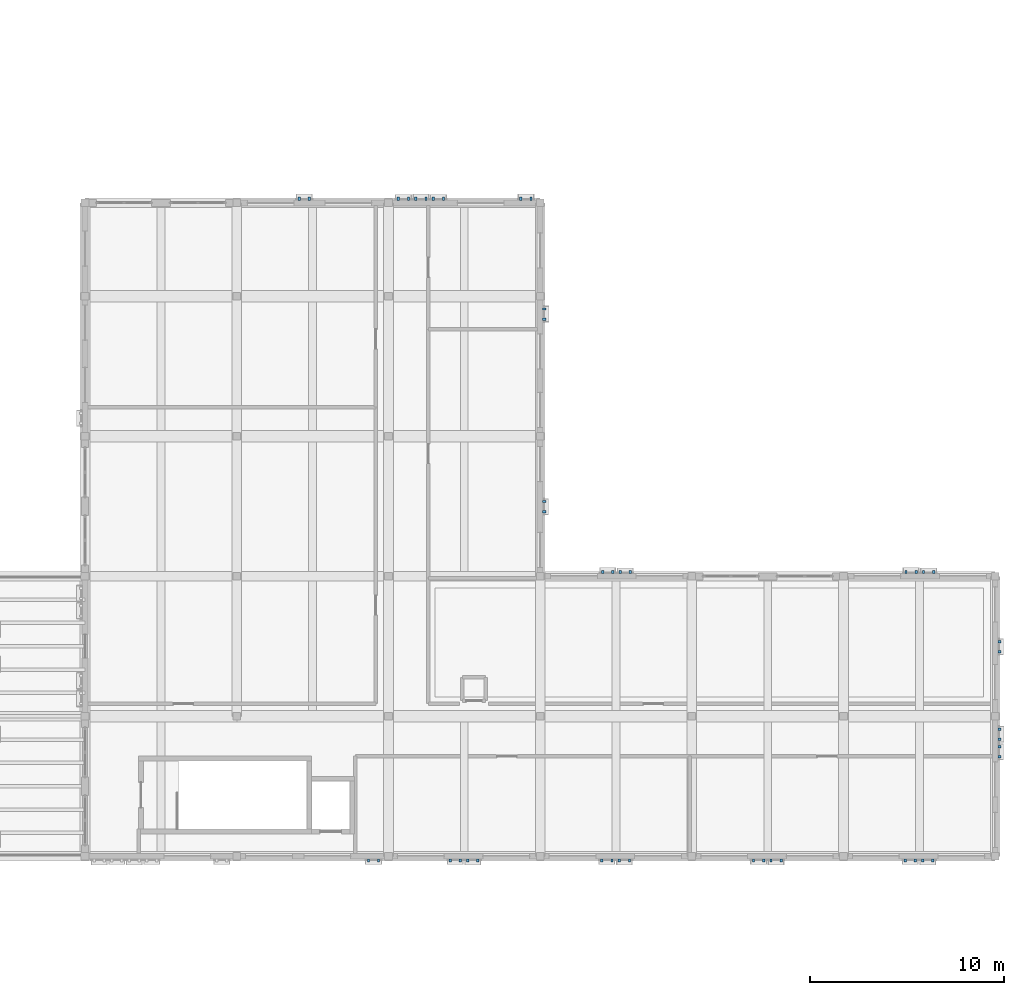
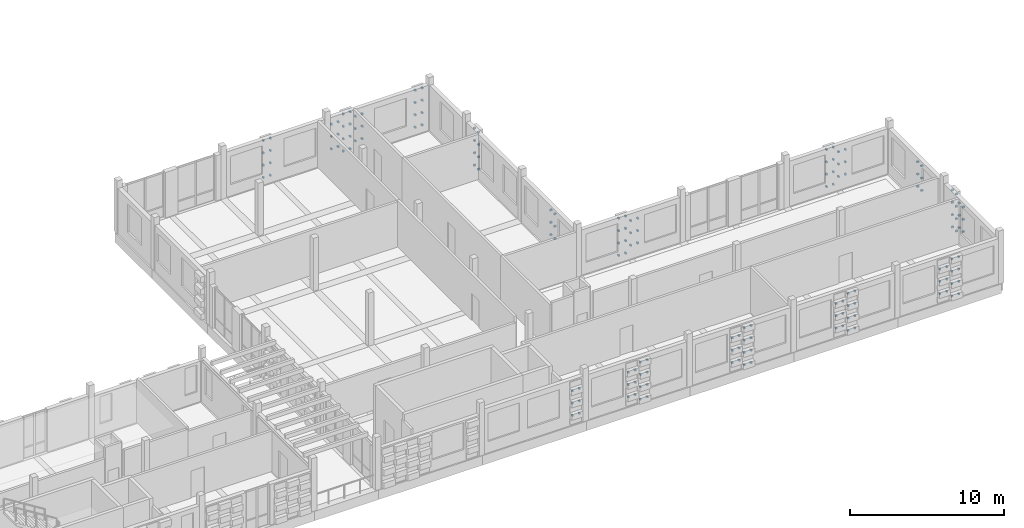
# One storey, part 87 of 99: 160 discrete accessories.
"""IFC4 building model written with IfcOpenShell, lengths in metres."""

from ifc_helpers import new_model, si_unit, direction, frame, origin, origin_2d, place, context, subcontext, project, spatial, rectangle, extrude, material, type_object, element, save


model = new_model("IFC4")

# Units and contexts
model_context = context("Model", 3, precision=1e-05, world=origin(), true_north=direction((0.0, 1.0)))
body_context = subcontext(model_context, "Body", "Model", "MODEL_VIEW")
ifc_project = project(units=[si_unit("LENGTHUNIT", "METRE"), si_unit("AREAUNIT", "SQUARE_METRE"), si_unit("VOLUMEUNIT", "CUBIC_METRE"), si_unit("PLANEANGLEUNIT", "RADIAN"), si_unit("MASSUNIT", "GRAM", prefix="KILO")], contexts=[model_context])

# Site, building, storey
site_placement = place(None, origin())
site = spatial("IfcSite", under=ifc_project, at=site_placement, CompositionType="ELEMENT")
building_placement = place(site_placement, origin())
building = spatial("IfcBuilding", under=site, at=building_placement, Name="Kahlenmark Community Centre", CompositionType="ELEMENT")
storey_placement = place(building_placement, frame((0.0, 0.0, 5.39990234375)))
storey = spatial("IfcBuildingStorey", under=building, at=storey_placement, Name="L01", CompositionType="ELEMENT", Elevation=5.39990234375)

# Discrete accessories
ifc_material = material(Name="Stainless steel 1.4401 rainscreen bracket", Category="steel")
discrete_accessory_type = type_object("IfcDiscreteAccessoryType", Name="DAT-BRACKET-TC", PredefinedType="BRACKET", material=ifc_material)
for number, where, z_axis, x_axis, name in (
    (1, (136.169921875, 8.590087890625, 0.755126953125), (0.0, 0.0, 1.0), (1.0, 0.0, 0.0), "Terracotta cassette bracket 1572.1"),
    (2, (136.68994140625, 8.590087890625, 0.755126953125), (0.0, 0.0, 1.0), (1.0, 0.0, 0.0), "Terracotta cassette bracket 1572.2"),
    (3, (136.169921875, 8.590087890625, 1.735107421875), (0.0, 0.0, 1.0), (1.0, 0.0, 0.0), "Terracotta cassette bracket 1574.1"),
    (4, (136.68994140625, 8.590087890625, 1.735107421875), (0.0, 0.0, 1.0), (1.0, 0.0, 0.0), "Terracotta cassette bracket 1574.2"),
    (5, (136.169921875, 8.590087890625, 2.715087890625), (0.0, 0.0, 1.0), (1.0, 0.0, 0.0), "Terracotta cassette bracket 1576.1"),
    (6, (136.68994140625, 8.590087890625, 2.715087890625), (0.0, 0.0, 1.0), (1.0, 0.0, 0.0), "Terracotta cassette bracket 1576.2"),
    (7, (140.3701171875, 8.590087890625, 0.755126953125), (0.0, 0.0, 1.0), (1.0, 0.0, 0.0), "Terracotta cassette bracket 1579.1"),
    (8, (140.889892578125, 8.590087890625, 0.755126953125), (0.0, 0.0, 1.0), (1.0, 0.0, 0.0), "Terracotta cassette bracket 1579.2"),
    (9, (140.3701171875, 8.590087890625, 1.735107421875), (0.0, 0.0, 1.0), (1.0, 0.0, 0.0), "Terracotta cassette bracket 1581.1"),
    (10, (140.889892578125, 8.590087890625, 1.735107421875), (0.0, 0.0, 1.0), (1.0, 0.0, 0.0), "Terracotta cassette bracket 1581.2"),
    (11, (140.3701171875, 8.590087890625, 2.715087890625), (0.0, 0.0, 1.0), (1.0, 0.0, 0.0), "Terracotta cassette bracket 1583.1"),
    (12, (140.889892578125, 8.590087890625, 2.715087890625), (0.0, 0.0, 1.0), (1.0, 0.0, 0.0), "Terracotta cassette bracket 1583.2"),
    (13, (141.27001953125, 8.590087890625, 0.26513671875), (0.0, 0.0, 1.0), (1.0, 0.0, 0.0), "Terracotta cassette bracket 1585.1"),
    (14, (141.7900390625, 8.590087890625, 0.26513671875), (0.0, 0.0, 1.0), (1.0, 0.0, 0.0), "Terracotta cassette bracket 1585.2"),
    (15, (141.27001953125, 8.590087890625, 1.2451171875), (0.0, 0.0, 1.0), (1.0, 0.0, 0.0), "Terracotta cassette bracket 1587.1"),
    (16, (141.7900390625, 8.590087890625, 1.2451171875), (0.0, 0.0, 1.0), (1.0, 0.0, 0.0), "Terracotta cassette bracket 1587.2"),
    (17, (141.27001953125, 8.590087890625, 2.22509765625), (0.0, 0.0, 1.0), (1.0, 0.0, 0.0), "Terracotta cassette bracket 1589.1"),
    (18, (141.7900390625, 8.590087890625, 2.22509765625), (0.0, 0.0, 1.0), (1.0, 0.0, 0.0), "Terracotta cassette bracket 1589.2"),
    (19, (141.27001953125, 8.590087890625, 3.205078125), (0.0, 0.0, 1.0), (1.0, 0.0, 0.0), "Terracotta cassette bracket 1591.1"),
    (20, (141.7900390625, 8.590087890625, 3.205078125), (0.0, 0.0, 1.0), (1.0, 0.0, 0.0), "Terracotta cassette bracket 1591.2"),
    (21, (148.169921875, 8.590087890625, 0.755126953125), (0.0, 0.0, 1.0), (1.0, 0.0, 0.0), "Terracotta cassette bracket 1593.1"),
    (22, (148.68994140625, 8.590087890625, 0.755126953125), (0.0, 0.0, 1.0), (1.0, 0.0, 0.0), "Terracotta cassette bracket 1593.2"),
    (23, (148.169921875, 8.590087890625, 1.735107421875), (0.0, 0.0, 1.0), (1.0, 0.0, 0.0), "Terracotta cassette bracket 1595.1"),
    (24, (148.68994140625, 8.590087890625, 1.735107421875), (0.0, 0.0, 1.0), (1.0, 0.0, 0.0), "Terracotta cassette bracket 1595.2"),
    (25, (148.169921875, 8.590087890625, 2.715087890625), (0.0, 0.0, 1.0), (1.0, 0.0, 0.0), "Terracotta cassette bracket 1597.1"),
    (26, (148.68994140625, 8.590087890625, 2.715087890625), (0.0, 0.0, 1.0), (1.0, 0.0, 0.0), "Terracotta cassette bracket 1597.2"),
    (27, (149.070068359375, 8.590087890625, 0.26513671875), (0.0, 0.0, 1.0), (1.0, 0.0, 0.0), "Terracotta cassette bracket 1599.1"),
    (28, (149.590087890625, 8.590087890625, 0.26513671875), (0.0, 0.0, 1.0), (1.0, 0.0, 0.0), "Terracotta cassette bracket 1599.2"),
    (29, (149.070068359375, 8.590087890625, 1.2451171875), (0.0, 0.0, 1.0), (1.0, 0.0, 0.0), "Terracotta cassette bracket 1601.1"),
    (30, (149.590087890625, 8.590087890625, 1.2451171875), (0.0, 0.0, 1.0), (1.0, 0.0, 0.0), "Terracotta cassette bracket 1601.2"),
    (31, (149.070068359375, 8.590087890625, 2.22509765625), (0.0, 0.0, 1.0), (1.0, 0.0, 0.0), "Terracotta cassette bracket 1603.1"),
    (32, (149.590087890625, 8.590087890625, 2.22509765625), (0.0, 0.0, 1.0), (1.0, 0.0, 0.0), "Terracotta cassette bracket 1603.2"),
    (33, (149.070068359375, 8.590087890625, 3.205078125), (0.0, 0.0, 1.0), (1.0, 0.0, 0.0), "Terracotta cassette bracket 1605.1"),
    (34, (149.590087890625, 8.590087890625, 3.205078125), (0.0, 0.0, 1.0), (1.0, 0.0, 0.0), "Terracotta cassette bracket 1605.2"),
    (35, (155.969970703125, 8.590087890625, 0.755126953125), (0.0, 0.0, 1.0), (1.0, 0.0, 0.0), "Terracotta cassette bracket 1607.1"),
    (36, (156.489990234375, 8.590087890625, 0.755126953125), (0.0, 0.0, 1.0), (1.0, 0.0, 0.0), "Terracotta cassette bracket 1607.2"),
    (37, (155.969970703125, 8.590087890625, 1.735107421875), (0.0, 0.0, 1.0), (1.0, 0.0, 0.0), "Terracotta cassette bracket 1609.1"),
    (38, (156.489990234375, 8.590087890625, 1.735107421875), (0.0, 0.0, 1.0), (1.0, 0.0, 0.0), "Terracotta cassette bracket 1609.2"),
    (39, (155.969970703125, 8.590087890625, 2.715087890625), (0.0, 0.0, 1.0), (1.0, 0.0, 0.0), "Terracotta cassette bracket 1611.1"),
    (40, (156.489990234375, 8.590087890625, 2.715087890625), (0.0, 0.0, 1.0), (1.0, 0.0, 0.0), "Terracotta cassette bracket 1611.2"),
    (41, (156.8701171875, 8.590087890625, 0.26513671875), (0.0, 0.0, 1.0), (1.0, 0.0, 0.0), "Terracotta cassette bracket 1613.1"),
    (42, (157.389892578125, 8.590087890625, 0.26513671875), (0.0, 0.0, 1.0), (1.0, 0.0, 0.0), "Terracotta cassette bracket 1613.2"),
    (43, (156.8701171875, 8.590087890625, 1.2451171875), (0.0, 0.0, 1.0), (1.0, 0.0, 0.0), "Terracotta cassette bracket 1615.1"),
    (44, (157.389892578125, 8.590087890625, 1.2451171875), (0.0, 0.0, 1.0), (1.0, 0.0, 0.0), "Terracotta cassette bracket 1615.2"),
    (45, (156.8701171875, 8.590087890625, 2.22509765625), (0.0, 0.0, 1.0), (1.0, 0.0, 0.0), "Terracotta cassette bracket 1617.1"),
    (46, (157.389892578125, 8.590087890625, 2.22509765625), (0.0, 0.0, 1.0), (1.0, 0.0, 0.0), "Terracotta cassette bracket 1617.2"),
    (47, (156.8701171875, 8.590087890625, 3.205078125), (0.0, 0.0, 1.0), (1.0, 0.0, 0.0), "Terracotta cassette bracket 1619.1"),
    (48, (157.389892578125, 8.590087890625, 3.205078125), (0.0, 0.0, 1.0), (1.0, 0.0, 0.0), "Terracotta cassette bracket 1619.2"),
    (49, (163.77001953125, 8.590087890625, 0.755126953125), (0.0, 0.0, 1.0), (1.0, 0.0, 0.0), "Terracotta cassette bracket 1621.1"),
    (50, (164.2900390625, 8.590087890625, 0.755126953125), (0.0, 0.0, 1.0), (1.0, 0.0, 0.0), "Terracotta cassette bracket 1621.2"),
    (51, (163.77001953125, 8.590087890625, 1.735107421875), (0.0, 0.0, 1.0), (1.0, 0.0, 0.0), "Terracotta cassette bracket 1623.1"),
    (52, (164.2900390625, 8.590087890625, 1.735107421875), (0.0, 0.0, 1.0), (1.0, 0.0, 0.0), "Terracotta cassette bracket 1623.2"),
    (53, (163.77001953125, 8.590087890625, 2.715087890625), (0.0, 0.0, 1.0), (1.0, 0.0, 0.0), "Terracotta cassette bracket 1625.1"),
    (54, (164.2900390625, 8.590087890625, 2.715087890625), (0.0, 0.0, 1.0), (1.0, 0.0, 0.0), "Terracotta cassette bracket 1625.2"),
    (55, (164.669921875, 8.590087890625, 0.26513671875), (0.0, 0.0, 1.0), (1.0, 0.0, 0.0), "Terracotta cassette bracket 1627.1"),
    (56, (165.18994140625, 8.590087890625, 0.26513671875), (0.0, 0.0, 1.0), (1.0, 0.0, 0.0), "Terracotta cassette bracket 1627.2"),
    (57, (164.669921875, 8.590087890625, 1.2451171875), (0.0, 0.0, 1.0), (1.0, 0.0, 0.0), "Terracotta cassette bracket 1629.1"),
    (58, (165.18994140625, 8.590087890625, 1.2451171875), (0.0, 0.0, 1.0), (1.0, 0.0, 0.0), "Terracotta cassette bracket 1629.2"),
    (59, (164.669921875, 8.590087890625, 2.22509765625), (0.0, 0.0, 1.0), (1.0, 0.0, 0.0), "Terracotta cassette bracket 1631.1"),
    (60, (165.18994140625, 8.590087890625, 2.22509765625), (0.0, 0.0, 1.0), (1.0, 0.0, 0.0), "Terracotta cassette bracket 1631.2"),
    (61, (164.669921875, 8.590087890625, 3.205078125), (0.0, 0.0, 1.0), (1.0, 0.0, 0.0), "Terracotta cassette bracket 1633.1"),
    (62, (165.18994140625, 8.590087890625, 3.205078125), (0.0, 0.0, 1.0), (1.0, 0.0, 0.0), "Terracotta cassette bracket 1633.2"),
    (63, (149.6298828125, 23.409912109375, 0.755126953125), (0.0, 0.0, 1.0), (-1.0, 0.0, 0.0), "Terracotta cassette bracket 1635.1"),
    (64, (149.110107421875, 23.409912109375, 0.755126953125), (0.0, 0.0, 1.0), (-1.0, 0.0, 0.0), "Terracotta cassette bracket 1635.2"),
    (65, (149.6298828125, 23.409912109375, 1.735107421875), (0.0, 0.0, 1.0), (-1.0, 0.0, 0.0), "Terracotta cassette bracket 1637.1"),
    (66, (149.110107421875, 23.409912109375, 1.735107421875), (0.0, 0.0, 1.0), (-1.0, 0.0, 0.0), "Terracotta cassette bracket 1637.2"),
    (67, (149.6298828125, 23.409912109375, 2.715087890625), (0.0, 0.0, 1.0), (-1.0, 0.0, 0.0), "Terracotta cassette bracket 1639.1"),
    (68, (149.110107421875, 23.409912109375, 2.715087890625), (0.0, 0.0, 1.0), (-1.0, 0.0, 0.0), "Terracotta cassette bracket 1639.2"),
    (69, (148.72998046875, 23.409912109375, 0.26513671875), (0.0, 0.0, 1.0), (-1.0, 0.0, 0.0), "Terracotta cassette bracket 1641.1"),
    (70, (148.2099609375, 23.409912109375, 0.26513671875), (0.0, 0.0, 1.0), (-1.0, 0.0, 0.0), "Terracotta cassette bracket 1641.2"),
    (71, (148.72998046875, 23.409912109375, 1.2451171875), (0.0, 0.0, 1.0), (-1.0, 0.0, 0.0), "Terracotta cassette bracket 1643.1"),
    (72, (148.2099609375, 23.409912109375, 1.2451171875), (0.0, 0.0, 1.0), (-1.0, 0.0, 0.0), "Terracotta cassette bracket 1643.2"),
    (73, (148.72998046875, 23.409912109375, 2.22509765625), (0.0, 0.0, 1.0), (-1.0, 0.0, 0.0), "Terracotta cassette bracket 1645.1"),
    (74, (148.2099609375, 23.409912109375, 2.22509765625), (0.0, 0.0, 1.0), (-1.0, 0.0, 0.0), "Terracotta cassette bracket 1645.2"),
    (75, (148.72998046875, 23.409912109375, 3.205078125), (0.0, 0.0, 1.0), (-1.0, 0.0, 0.0), "Terracotta cassette bracket 1647.1"),
    (76, (148.2099609375, 23.409912109375, 3.205078125), (0.0, 0.0, 1.0), (-1.0, 0.0, 0.0), "Terracotta cassette bracket 1647.2"),
    (77, (165.22998046875, 23.409912109375, 0.755126953125), (0.0, 0.0, 1.0), (-1.0, 0.0, 0.0), "Terracotta cassette bracket 1649.1"),
    (78, (164.7099609375, 23.409912109375, 0.755126953125), (0.0, 0.0, 1.0), (-1.0, 0.0, 0.0), "Terracotta cassette bracket 1649.2"),
    (79, (165.22998046875, 23.409912109375, 1.735107421875), (0.0, 0.0, 1.0), (-1.0, 0.0, 0.0), "Terracotta cassette bracket 1651.1"),
    (80, (164.7099609375, 23.409912109375, 1.735107421875), (0.0, 0.0, 1.0), (-1.0, 0.0, 0.0), "Terracotta cassette bracket 1651.2"),
    (81, (165.22998046875, 23.409912109375, 2.715087890625), (0.0, 0.0, 1.0), (-1.0, 0.0, 0.0), "Terracotta cassette bracket 1653.1"),
    (82, (164.7099609375, 23.409912109375, 2.715087890625), (0.0, 0.0, 1.0), (-1.0, 0.0, 0.0), "Terracotta cassette bracket 1653.2"),
    (83, (164.330078125, 23.409912109375, 0.26513671875), (0.0, 0.0, 1.0), (-1.0, 0.0, 0.0), "Terracotta cassette bracket 1655.1"),
    (84, (163.81005859375, 23.409912109375, 0.26513671875), (0.0, 0.0, 1.0), (-1.0, 0.0, 0.0), "Terracotta cassette bracket 1655.2"),
    (85, (164.330078125, 23.409912109375, 1.2451171875), (0.0, 0.0, 1.0), (-1.0, 0.0, 0.0), "Terracotta cassette bracket 1657.1"),
    (86, (163.81005859375, 23.409912109375, 1.2451171875), (0.0, 0.0, 1.0), (-1.0, 0.0, 0.0), "Terracotta cassette bracket 1657.2"),
    (87, (164.330078125, 23.409912109375, 2.22509765625), (0.0, 0.0, 1.0), (-1.0, 0.0, 0.0), "Terracotta cassette bracket 1659.1"),
    (88, (163.81005859375, 23.409912109375, 2.22509765625), (0.0, 0.0, 1.0), (-1.0, 0.0, 0.0), "Terracotta cassette bracket 1659.2"),
    (89, (164.330078125, 23.409912109375, 3.205078125), (0.0, 0.0, 1.0), (-1.0, 0.0, 0.0), "Terracotta cassette bracket 1661.1"),
    (90, (163.81005859375, 23.409912109375, 3.205078125), (0.0, 0.0, 1.0), (-1.0, 0.0, 0.0), "Terracotta cassette bracket 1661.2"),
    (91, (168.610107421875, 13.919921875, 0.755126953125), (0.0, 0.0, 1.0), (0.0, 1.0, 0.0), "Terracotta cassette bracket 1687.1"),
    (92, (168.610107421875, 14.43994140625, 0.755126953125), (0.0, 0.0, 1.0), (0.0, 1.0, 0.0), "Terracotta cassette bracket 1687.2"),
    (93, (168.610107421875, 13.919921875, 1.735107421875), (0.0, 0.0, 1.0), (0.0, 1.0, 0.0), "Terracotta cassette bracket 1689.1"),
    (94, (168.610107421875, 14.43994140625, 1.735107421875), (0.0, 0.0, 1.0), (0.0, 1.0, 0.0), "Terracotta cassette bracket 1689.2"),
    (95, (168.610107421875, 13.919921875, 2.715087890625), (0.0, 0.0, 1.0), (0.0, 1.0, 0.0), "Terracotta cassette bracket 1691.1"),
    (96, (168.610107421875, 14.43994140625, 2.715087890625), (0.0, 0.0, 1.0), (0.0, 1.0, 0.0), "Terracotta cassette bracket 1691.2"),
    (97, (168.610107421875, 14.820068359375, 0.26513671875), (0.0, 0.0, 1.0), (0.0, 1.0, 0.0), "Terracotta cassette bracket 1693.1"),
    (98, (168.610107421875, 15.340087890625, 0.26513671875), (0.0, 0.0, 1.0), (0.0, 1.0, 0.0), "Terracotta cassette bracket 1693.2"),
    (99, (168.610107421875, 14.820068359375, 1.2451171875), (0.0, 0.0, 1.0), (0.0, 1.0, 0.0), "Terracotta cassette bracket 1695.1"),
    (100, (168.610107421875, 15.340087890625, 1.2451171875), (0.0, 0.0, 1.0), (0.0, 1.0, 0.0), "Terracotta cassette bracket 1695.2"),
    (101, (168.610107421875, 14.820068359375, 2.22509765625), (0.0, 0.0, 1.0), (0.0, 1.0, 0.0), "Terracotta cassette bracket 1697.1"),
    (102, (168.610107421875, 15.340087890625, 2.22509765625), (0.0, 0.0, 1.0), (0.0, 1.0, 0.0), "Terracotta cassette bracket 1697.2"),
    (103, (168.610107421875, 14.820068359375, 3.205078125), (0.0, 0.0, 1.0), (0.0, 1.0, 0.0), "Terracotta cassette bracket 1699.1"),
    (104, (168.610107421875, 15.340087890625, 3.205078125), (0.0, 0.0, 1.0), (0.0, 1.0, 0.0), "Terracotta cassette bracket 1699.2"),
    (105, (168.610107421875, 19.320068359375, 0.755126953125), (0.0, 0.0, 1.0), (0.0, 1.0, 0.0), "Terracotta cassette bracket 1701.1"),
    (106, (168.610107421875, 19.840087890625, 0.755126953125), (0.0, 0.0, 1.0), (0.0, 1.0, 0.0), "Terracotta cassette bracket 1701.2"),
    (107, (168.610107421875, 19.320068359375, 1.735107421875), (0.0, 0.0, 1.0), (0.0, 1.0, 0.0), "Terracotta cassette bracket 1703.1"),
    (108, (168.610107421875, 19.840087890625, 1.735107421875), (0.0, 0.0, 1.0), (0.0, 1.0, 0.0), "Terracotta cassette bracket 1703.2"),
    (109, (168.610107421875, 19.320068359375, 2.715087890625), (0.0, 0.0, 1.0), (0.0, 1.0, 0.0), "Terracotta cassette bracket 1705.1"),
    (110, (168.610107421875, 19.840087890625, 2.715087890625), (0.0, 0.0, 1.0), (0.0, 1.0, 0.0), "Terracotta cassette bracket 1705.2"),
    (111, (133.1298828125, 42.610107421875, 0.26513671875), (0.0, 0.0, 1.0), (-1.0, 0.0, 0.0), "Terracotta cassette bracket 1707.1"),
    (112, (132.610107421875, 42.610107421875, 0.26513671875), (0.0, 0.0, 1.0), (-1.0, 0.0, 0.0), "Terracotta cassette bracket 1707.2"),
    (113, (133.1298828125, 42.610107421875, 1.2451171875), (0.0, 0.0, 1.0), (-1.0, 0.0, 0.0), "Terracotta cassette bracket 1709.1"),
    (114, (132.610107421875, 42.610107421875, 1.2451171875), (0.0, 0.0, 1.0), (-1.0, 0.0, 0.0), "Terracotta cassette bracket 1709.2"),
    (115, (133.1298828125, 42.610107421875, 2.22509765625), (0.0, 0.0, 1.0), (-1.0, 0.0, 0.0), "Terracotta cassette bracket 1711.1"),
    (116, (132.610107421875, 42.610107421875, 2.22509765625), (0.0, 0.0, 1.0), (-1.0, 0.0, 0.0), "Terracotta cassette bracket 1711.2"),
    (117, (133.1298828125, 42.610107421875, 3.205078125), (0.0, 0.0, 1.0), (-1.0, 0.0, 0.0), "Terracotta cassette bracket 1713.1"),
    (118, (132.610107421875, 42.610107421875, 3.205078125), (0.0, 0.0, 1.0), (-1.0, 0.0, 0.0), "Terracotta cassette bracket 1713.2"),
    (119, (144.530029296875, 42.610107421875, 0.26513671875), (0.0, 0.0, 1.0), (-1.0, 0.0, 0.0), "Terracotta cassette bracket 1714.1"),
    (120, (144.010009765625, 42.610107421875, 0.26513671875), (0.0, 0.0, 1.0), (-1.0, 0.0, 0.0), "Terracotta cassette bracket 1714.2"),
    (121, (144.530029296875, 42.610107421875, 1.2451171875), (0.0, 0.0, 1.0), (-1.0, 0.0, 0.0), "Terracotta cassette bracket 1716.1"),
    (122, (144.010009765625, 42.610107421875, 1.2451171875), (0.0, 0.0, 1.0), (-1.0, 0.0, 0.0), "Terracotta cassette bracket 1716.2"),
    (123, (144.530029296875, 42.610107421875, 2.22509765625), (0.0, 0.0, 1.0), (-1.0, 0.0, 0.0), "Terracotta cassette bracket 1718.1"),
    (124, (144.010009765625, 42.610107421875, 2.22509765625), (0.0, 0.0, 1.0), (-1.0, 0.0, 0.0), "Terracotta cassette bracket 1718.2"),
    (125, (144.530029296875, 42.610107421875, 3.205078125), (0.0, 0.0, 1.0), (-1.0, 0.0, 0.0), "Terracotta cassette bracket 1720.1"),
    (126, (144.010009765625, 42.610107421875, 3.205078125), (0.0, 0.0, 1.0), (-1.0, 0.0, 0.0), "Terracotta cassette bracket 1720.2"),
    (127, (140.030029296875, 42.610107421875, 0.755126953125), (0.0, 0.0, 1.0), (-1.0, 0.0, 0.0), "Terracotta cassette bracket 1722.1"),
    (128, (139.510009765625, 42.610107421875, 0.755126953125), (0.0, 0.0, 1.0), (-1.0, 0.0, 0.0), "Terracotta cassette bracket 1722.2"),
    (129, (140.030029296875, 42.610107421875, 1.735107421875), (0.0, 0.0, 1.0), (-1.0, 0.0, 0.0), "Terracotta cassette bracket 1724.1"),
    (130, (139.510009765625, 42.610107421875, 1.735107421875), (0.0, 0.0, 1.0), (-1.0, 0.0, 0.0), "Terracotta cassette bracket 1724.2"),
    (131, (140.030029296875, 42.610107421875, 2.715087890625), (0.0, 0.0, 1.0), (-1.0, 0.0, 0.0), "Terracotta cassette bracket 1726.1"),
    (132, (139.510009765625, 42.610107421875, 2.715087890625), (0.0, 0.0, 1.0), (-1.0, 0.0, 0.0), "Terracotta cassette bracket 1726.2"),
    (133, (139.1298828125, 42.610107421875, 0.26513671875), (0.0, 0.0, 1.0), (-1.0, 0.0, 0.0), "Terracotta cassette bracket 1728.1"),
    (134, (138.610107421875, 42.610107421875, 0.26513671875), (0.0, 0.0, 1.0), (-1.0, 0.0, 0.0), "Terracotta cassette bracket 1728.2"),
    (135, (139.1298828125, 42.610107421875, 1.2451171875), (0.0, 0.0, 1.0), (-1.0, 0.0, 0.0), "Terracotta cassette bracket 1730.1"),
    (136, (138.610107421875, 42.610107421875, 1.2451171875), (0.0, 0.0, 1.0), (-1.0, 0.0, 0.0), "Terracotta cassette bracket 1730.2"),
    (137, (139.1298828125, 42.610107421875, 2.22509765625), (0.0, 0.0, 1.0), (-1.0, 0.0, 0.0), "Terracotta cassette bracket 1732.1"),
    (138, (138.610107421875, 42.610107421875, 2.22509765625), (0.0, 0.0, 1.0), (-1.0, 0.0, 0.0), "Terracotta cassette bracket 1732.2"),
    (139, (139.1298828125, 42.610107421875, 3.205078125), (0.0, 0.0, 1.0), (-1.0, 0.0, 0.0), "Terracotta cassette bracket 1734.1"),
    (140, (138.610107421875, 42.610107421875, 3.205078125), (0.0, 0.0, 1.0), (-1.0, 0.0, 0.0), "Terracotta cassette bracket 1734.2"),
    (141, (138.22998046875, 42.610107421875, 0.755126953125), (0.0, 0.0, 1.0), (-1.0, 0.0, 0.0), "Terracotta cassette bracket 1736.1"),
    (142, (137.7099609375, 42.610107421875, 0.755126953125), (0.0, 0.0, 1.0), (-1.0, 0.0, 0.0), "Terracotta cassette bracket 1736.2"),
    (143, (138.22998046875, 42.610107421875, 1.735107421875), (0.0, 0.0, 1.0), (-1.0, 0.0, 0.0), "Terracotta cassette bracket 1738.1"),
    (144, (137.7099609375, 42.610107421875, 1.735107421875), (0.0, 0.0, 1.0), (-1.0, 0.0, 0.0), "Terracotta cassette bracket 1738.2"),
    (145, (138.22998046875, 42.610107421875, 2.715087890625), (0.0, 0.0, 1.0), (-1.0, 0.0, 0.0), "Terracotta cassette bracket 1740.1"),
    (146, (137.7099609375, 42.610107421875, 2.715087890625), (0.0, 0.0, 1.0), (-1.0, 0.0, 0.0), "Terracotta cassette bracket 1740.2"),
    (147, (145.2099609375, 26.52001953125, 0.755126953125), (0.0, 0.0, 1.0), (0.0, 1.0, 0.0), "Terracotta cassette bracket 1750.1"),
    (148, (145.2099609375, 27.0400390625, 0.755126953125), (0.0, 0.0, 1.0), (0.0, 1.0, 0.0), "Terracotta cassette bracket 1750.2"),
    (149, (145.2099609375, 26.52001953125, 1.735107421875), (0.0, 0.0, 1.0), (0.0, 1.0, 0.0), "Terracotta cassette bracket 1752.1"),
    (150, (145.2099609375, 27.0400390625, 1.735107421875), (0.0, 0.0, 1.0), (0.0, 1.0, 0.0), "Terracotta cassette bracket 1752.2"),
    (151, (145.2099609375, 26.52001953125, 2.715087890625), (0.0, 0.0, 1.0), (0.0, 1.0, 0.0), "Terracotta cassette bracket 1754.1"),
    (152, (145.2099609375, 27.0400390625, 2.715087890625), (0.0, 0.0, 1.0), (0.0, 1.0, 0.0), "Terracotta cassette bracket 1754.2"),
    (153, (145.2099609375, 36.419921875, 0.26513671875), (0.0, 0.0, 1.0), (0.0, 1.0, 0.0), "Terracotta cassette bracket 1756.1"),
    (154, (145.2099609375, 36.93994140625, 0.26513671875), (0.0, 0.0, 1.0), (0.0, 1.0, 0.0), "Terracotta cassette bracket 1756.2"),
    (155, (145.2099609375, 36.419921875, 1.2451171875), (0.0, 0.0, 1.0), (0.0, 1.0, 0.0), "Terracotta cassette bracket 1758.1"),
    (156, (145.2099609375, 36.93994140625, 1.2451171875), (0.0, 0.0, 1.0), (0.0, 1.0, 0.0), "Terracotta cassette bracket 1758.2"),
    (157, (145.2099609375, 36.419921875, 2.22509765625), (0.0, 0.0, 1.0), (0.0, 1.0, 0.0), "Terracotta cassette bracket 1760.1"),
    (158, (145.2099609375, 36.93994140625, 2.22509765625), (0.0, 0.0, 1.0), (0.0, 1.0, 0.0), "Terracotta cassette bracket 1760.2"),
    (159, (145.2099609375, 36.419921875, 3.205078125), (0.0, 0.0, 1.0), (0.0, 1.0, 0.0), "Terracotta cassette bracket 1762.1"),
    (160, (145.2099609375, 36.93994140625, 3.205078125), (0.0, 0.0, 1.0), (0.0, 1.0, 0.0), "Terracotta cassette bracket 1762.2"),
):
    element("IfcDiscreteAccessory", number, at=place(storey_placement, frame(where, z_axis=z_axis, x_axis=x_axis)), inside=storey, type_object=discrete_accessory_type, Name=name, PredefinedType="BRACKET", context=body_context, shape_type="SweptSolid", body=[
        extrude(rectangle(XDim=0.1201171875, YDim=0.159912109375, at=origin_2d()), origin(), (0.0, 0.0, 1.0), 0.1201171875),
    ])

save(model, "model.ifc")
